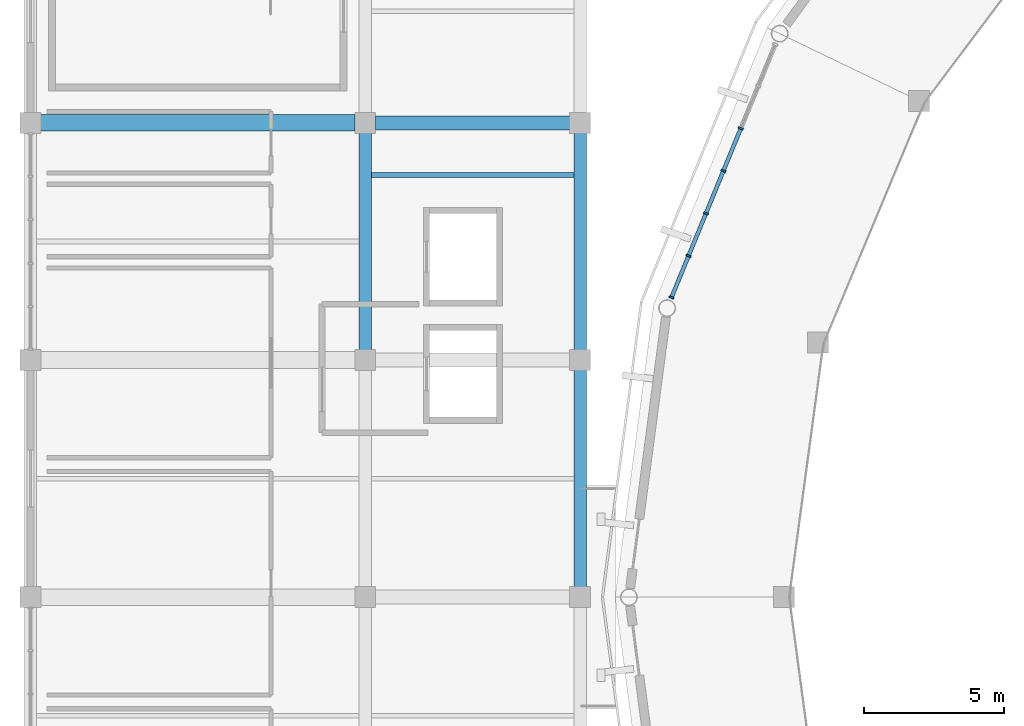
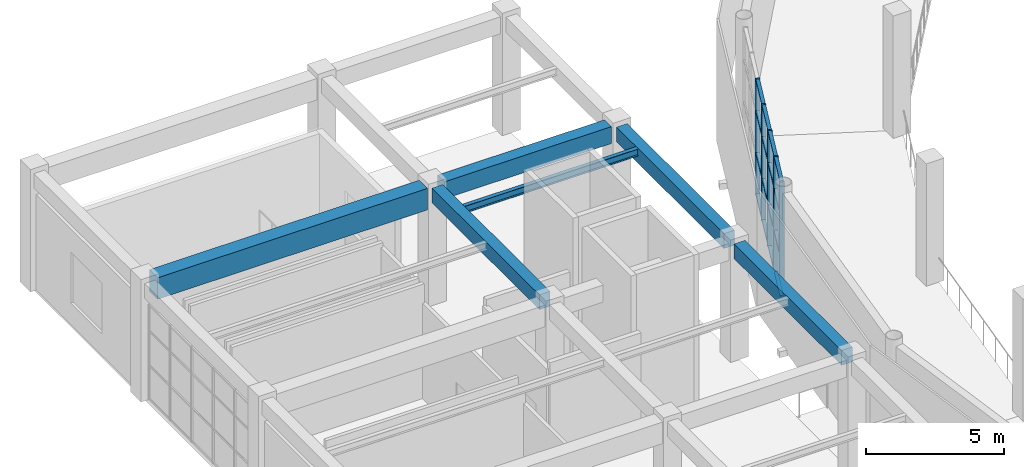
# One storey, part 12 of 40: 21 members, 6 beams, 1 element without a shape of its own.
"""IFC4 building model written with IfcOpenShell, lengths in metres."""

import ifcopenshell
import ifcopenshell.guid

model = None  # the IFC model being written
_history = None  # IfcOwnerHistory: only IFC2X3 demands one
_inside = {}  # id of a spatial element -> (the spatial element, [elements in it])
_under = {}  # id of a project, library or spatial element -> (it, [spatial elements below it])
_declared = {}  # id of a project -> (the project, [libraries it declares])
_typed = {}  # id of a type object -> (the type object, [elements of that type])
_made_of = {}  # id of a material, layer set ... -> (it, [elements and type objects made of it])


def new_model(schema):
    """Start an empty IFC model of exactly this schema.

    Asked for "IFC4X3", IfcOpenShell would pick the latest addendum, in which some entities
    have other attributes; the version numbers below select the first issue.
    IFC2X3 requires an IfcOwnerHistory on every rooted entity: one is made here for all.
    """
    global model, _history
    if schema == "IFC4X3":
        model = ifcopenshell.file(schema_version=(4, 3, 0, 0))
    else:
        model = ifcopenshell.file(schema=schema)
    _inside.clear()
    _under.clear()
    _declared.clear()
    _typed.clear()
    _made_of.clear()
    _history = None
    if model.schema == "IFC2X3":
        org = make("IfcOrganization", Name="unknown")
        user = make(
            "IfcPersonAndOrganization",
            ThePerson=make("IfcPerson", FamilyName="unknown"),
            TheOrganization=org,
        )
        app = make(
            "IfcApplication",
            ApplicationDeveloper=org,
            Version="unknown",
            ApplicationFullName="unknown",
            ApplicationIdentifier="unknown",
        )
        _history = make(
            "IfcOwnerHistory",
            OwningUser=user,
            OwningApplication=app,
            ChangeAction="ADDED",
            CreationDate=0,
        )
    return model


def make(cls, **values):
    """One entity of the class cls with the attributes given. An attribute that is None is left unset."""
    return model.create_entity(
        cls, **{name: value for name, value in values.items() if value is not None}
    )


def rooted(cls, **values):
    """An entity with a GlobalId (a new one), such as an element, a storey or a relation."""
    return make(cls, GlobalId=ifcopenshell.guid.new(), OwnerHistory=_history, **values)


def si_unit(unit_type, name, prefix=None):
    """IfcSIUnit, for example si_unit("LENGTHUNIT", "METRE", prefix="MILLI")."""
    return make("IfcSIUnit", UnitType=unit_type, Prefix=prefix, Name=name)


def assignment(units):
    """IfcUnitAssignment: the units of a project."""
    return None if units is None else make("IfcUnitAssignment", Units=units)


def point(xyz):
    """IfcCartesianPoint."""
    return None if xyz is None else make("IfcCartesianPoint", Coordinates=xyz)


def direction(xyz):
    """IfcDirection."""
    return None if xyz is None else make("IfcDirection", DirectionRatios=xyz)


def frame(location, z_axis=None, x_axis=None):
    """IfcAxis2Placement3D, a coordinate frame: its origin and axes. An axis left out is left unset."""
    return make(
        "IfcAxis2Placement3D",
        Location=point(location),
        Axis=direction(z_axis),
        RefDirection=direction(x_axis),
    )


def frame_2d(location, x_axis=None):
    """IfcAxis2Placement2D, a coordinate frame in the plane: its origin and x axis."""
    return make(
        "IfcAxis2Placement2D", Location=point(location), RefDirection=direction(x_axis)
    )


def origin():
    """The frame at (0, 0, 0) with its axes left unset."""
    return frame((0.0, 0.0, 0.0))


def origin_2d():
    """The frame at (0, 0) in the plane with its x axis left unset."""
    return frame_2d((0.0, 0.0))


def place(relative_to, where):
    """IfcLocalPlacement: puts the frame where relative to a parent placement (None: the world)."""
    return make(
        "IfcLocalPlacement", PlacementRelTo=relative_to, RelativePlacement=where
    )


def context(
    kind, dimensions, precision=None, world=None, true_north=None, identifier=None
):
    """IfcGeometricRepresentationContext, for example the 3D "Model" context."""
    return make(
        "IfcGeometricRepresentationContext",
        ContextIdentifier=identifier,
        ContextType=kind,
        CoordinateSpaceDimension=dimensions,
        Precision=precision,
        WorldCoordinateSystem=world,
        TrueNorth=true_north,
    )


def subcontext(parent, identifier, kind, view, scale=None):
    """IfcGeometricRepresentationSubContext, for example "Body" below "Model"."""
    return make(
        "IfcGeometricRepresentationSubContext",
        ContextIdentifier=identifier,
        ContextType=kind,
        ParentContext=parent,
        TargetScale=scale,
        TargetView=view,
    )


def project(units=None, contexts=None):
    """IfcProject with its units and contexts."""
    return rooted(
        "IfcProject",
        Name="project",
        RepresentationContexts=contexts,
        UnitsInContext=assignment(units),
    )


def spatial(cls, under=None, at=None, **own):
    """A site, building, storey or space (cls), placed at a placement, below another one or the project."""
    s = rooted(cls, ObjectPlacement=at, **own)
    if under is not None:
        _under.setdefault(under.id(), (under, []))[1].append(s)
    return s


def profile(cls, at=None, kind="AREA", **sizes):
    """A parametric profile (cls). Its sizes go by their IFC names, for example OverallWidth=200.0."""
    return make(cls, ProfileType=kind, Position=at, **sizes)


def rectangle(**sizes):
    """IfcRectangleProfileDef."""
    return profile("IfcRectangleProfileDef", **sizes)


def i_section(**sizes):
    """IfcIShapeProfileDef."""
    return profile("IfcIShapeProfileDef", **sizes)


def extrude(swept, where, along, depth):
    """IfcExtrudedAreaSolid: the profile swept, set in the frame where, extruded along a direction by depth."""
    return make(
        "IfcExtrudedAreaSolid",
        SweptArea=swept,
        Position=where,
        ExtrudedDirection=direction(along),
        Depth=depth,
    )


def shape(context_of_items, identifier, shape_type, items):
    """IfcShapeRepresentation: the items that make up one representation, for example the "Body"."""
    return make(
        "IfcShapeRepresentation",
        ContextOfItems=context_of_items,
        RepresentationIdentifier=identifier,
        RepresentationType=shape_type,
        Items=items,
    )


def material(Name=None, Category=None):
    """IfcMaterial."""
    return make("IfcMaterial", Name=Name, Category=Category)


def material_profile(
    of_material, cross_section, Name=None, Category=None, Priority=None
):
    """IfcMaterialProfile: a cross section and its material."""
    return make(
        "IfcMaterialProfile",
        Name=Name,
        Material=of_material,
        Profile=cross_section,
        Priority=Priority,
        Category=Category,
    )


def profile_set(profiles, Name=None, composite=None):
    """IfcMaterialProfileSet."""
    return make(
        "IfcMaterialProfileSet",
        Name=Name,
        MaterialProfiles=profiles,
        CompositeProfile=composite,
    )


def made_of(thing, what):
    """Note that an element or type object is made of a material, layer set ...; save() writes the relation."""
    if what is not None:
        _made_of.setdefault(what.id(), (what, []))[1].append(thing)
    return thing


def type_object(cls, material=None, **own):
    """A type object (cls), such as IfcWallType, which elements share."""
    return made_of(rooted(cls, **own), material)


def element(
    cls,
    number,
    at=None,
    inside=None,
    cuts=None,
    type_object=None,
    material=None,
    context=None,
    identifier="Body",
    shape_type=None,
    held_by="IfcProductDefinitionShape",
    body=None,
    shapes=None,
    **own,
):
    """One element of the class cls, such as IfcWall. Its Tag is "e" and its number.

    at: its placement. inside: the storey or other place that contains it. cuts: it is an
    opening in that element (IfcRelVoidsElement). A single representation is given by context,
    identifier, shape_type and body (its items); several are given by shapes. held_by: the class
    of the entity that holds the representations. save() writes the other relations.
    """
    e = rooted(cls, Tag="e%d" % number, ObjectPlacement=at, **own)
    if body is not None:
        shapes = [shape(context, identifier, shape_type, body)]
    if shapes is not None:
        e.Representation = make(held_by, Representations=shapes)
    if inside is not None:
        _inside.setdefault(inside.id(), (inside, []))[1].append(e)
    if cuts is not None:
        rooted(
            "IfcRelVoidsElement", RelatingBuildingElement=cuts, RelatedOpeningElement=e
        )
    if type_object is not None:
        _typed.setdefault(type_object.id(), (type_object, []))[1].append(e)
    return made_of(e, material)


def aggregate(whole, parts):
    """IfcRelAggregates: a whole, such as a stair, and the parts it consists of."""
    return rooted("IfcRelAggregates", RelatingObject=whole, RelatedObjects=parts)


def save(model, path):
    """Write the relations noted so far, then the file.

    IfcRelAggregates (storeys below a building ...), IfcRelContainedInSpatialStructure (elements
    in a storey), IfcRelDefinesByType, IfcRelAssociatesMaterial and IfcRelDeclares: one each for
    every whole, place, type object, material and project.
    """
    for whole, parts in _under.values():
        aggregate(whole, parts)
    for where, things in _inside.values():
        rooted(
            "IfcRelContainedInSpatialStructure",
            RelatedElements=things,
            RelatingStructure=where,
        )
    for kind, things in _typed.values():
        rooted("IfcRelDefinesByType", RelatedObjects=things, RelatingType=kind)
    for what, things in _made_of.values():
        rooted("IfcRelAssociatesMaterial", RelatedObjects=things, RelatingMaterial=what)
    for by, libraries in _declared.values():
        rooted("IfcRelDeclares", RelatingContext=by, RelatedDefinitions=libraries)
    model.write(path)


model = new_model("IFC4")

# Units and contexts
model_context = context("Model", 3, precision=1e-05, world=origin(), true_north=direction((0.0, 1.0)))
body_context = subcontext(model_context, "Body", "Model", "MODEL_VIEW")
ifc_project = project(units=[si_unit("LENGTHUNIT", "METRE"), si_unit("AREAUNIT", "SQUARE_METRE"), si_unit("VOLUMEUNIT", "CUBIC_METRE"), si_unit("PLANEANGLEUNIT", "RADIAN"), si_unit("MASSUNIT", "GRAM", prefix="KILO")], contexts=[model_context])

# Site, building, storey
site_placement = place(None, origin())
site = spatial("IfcSite", under=ifc_project, at=site_placement, CompositionType="ELEMENT")
building_placement = place(site_placement, origin())
building = spatial("IfcBuilding", under=site, at=building_placement, Name="Cuetzalor Civic Arena", CompositionType="ELEMENT")
storey_placement = place(building_placement, frame((0.0, 0.0, 26.39990234375)))
storey = spatial("IfcBuildingStorey", under=building, at=storey_placement, Name="L05", CompositionType="ELEMENT", Elevation=26.39990234375)

# Beams
ifc_material_1 = material(Name="Concrete C40/50", Category="concrete")
ifc_material_profile_1 = material_profile(ifc_material_1, rectangle(XDim=0.5, YDim=0.75, at=origin_2d()), Name="RC 500x750")
ifc_profile_set_1 = profile_set([ifc_material_profile_1], Name="Concrete C40/50")
beam_type_1 = type_object("IfcBeamType", Name="ConcreteFrameBeam_500x750", PredefinedType="BEAM", material=ifc_profile_set_1)
beam_1_placement = place(storey_placement, frame((-63.635009765625, 17.0, 4.80517578125), z_axis=(1.0, 0.0, 0.0), x_axis=(0.0, 1.0, 0.0)))
element("IfcBeam", 1, at=beam_1_placement, inside=storey, type_object=beam_type_1, Name="Frame Girder V4W-L05-X1220", PredefinedType="BEAM", context=body_context, shape_type="SweptSolid", body=[
    extrude(rectangle(XDim=0.5, YDim=0.75, at=origin_2d()), origin(), (0.0, 0.0, 1.0), 6.969970703125),
])
ifc_material_2 = material(Name="Concrete C40/50", Category="concrete")
ifc_material_profile_2 = material_profile(ifc_material_2, rectangle(XDim=0.60009765625, YDim=0.949951171875, at=origin_2d()), Name="RC 600x950")
ifc_profile_set_2 = profile_set([ifc_material_profile_2], Name="Concrete C40/50")
beam_type_2 = type_object("IfcBeamType", Name="ConcreteFrameBeam_600x950", PredefinedType="BEAM", material=ifc_profile_set_2)
beam_2_placement = place(storey_placement, frame((-75.635009765625, 17.0, 4.705078125), z_axis=(1.0, 0.0, 0.0), x_axis=(0.0, 1.0, 0.0)))
element("IfcBeam", 2, at=beam_2_placement, inside=storey, type_object=beam_type_2, Name="Frame Girder V4W-L05-X1219", PredefinedType="BEAM", context=body_context, shape_type="SweptSolid", body=[
    extrude(rectangle(XDim=0.60009765625, YDim=0.949951171875, at=origin_2d()), origin(), (0.0, 0.0, 1.0), 11.27001953125),
])
ifc_material_3 = material(Name="Concrete C40/50", Category="concrete")
ifc_material_profile_3 = material_profile(ifc_material_3, rectangle(XDim=0.449951171875, YDim=0.64990234375, at=origin_2d()), Name="RC 450x650")
ifc_profile_set_3 = profile_set([ifc_material_profile_3], Name="Concrete C40/50")
beam_type_3 = type_object("IfcBeamType", Name="ConcreteTieBeam_450x650", PredefinedType="BEAM", material=ifc_profile_set_3)
for number, where, z_axis, x_axis, name in (
    (3, (-64.0, 8.864990234375, 4.85498046875), (0.0, 1.0, 0.0), (-1.0, 0.0, 0.0), "Frame Girder V4W-L05-Y1235"),
    (4, (-56.300048828125, 0.364990234375, 4.85498046875), (0.0, 1.0, 0.0), (-1.0, 0.0, 0.0), "Frame Girder V4W-L05-Y1241"),
    (5, (-56.300048828125, 8.864990234375, 4.85498046875), (0.0, 1.0, 0.0), (-1.0, 0.0, 0.0), "Frame Girder V4W-L05-Y1242"),
):
    element("IfcBeam", number, at=place(storey_placement, frame(where, z_axis=z_axis, x_axis=x_axis)), inside=storey, type_object=beam_type_3, Name=name, PredefinedType="BEAM", context=body_context, shape_type="SweptSolid", body=[
        extrude(rectangle(XDim=0.449951171875, YDim=0.64990234375, at=origin_2d()), origin(), (0.0, 0.0, 1.0), 7.77001953125),
    ])

# Curtain wall, members
ifc_material_4 = material(Name="Anodised dark bronze aluminium and low-E solar glass", Category="aluminium")
curtain_wall_type = type_object("IfcCurtainWallType", Name="UnitisedCW_9850x5150", PredefinedType="USERDEFINED", material=ifc_material_4)
curtain_wall_placement = place(storey_placement, origin())
curtain_wall = element("IfcCurtainWall", 6, at=curtain_wall_placement, inside=storey, type_object=curtain_wall_type, Name="Drum Triangle Foyer Curtain Wall L05-074", ObjectType="UNITISED CURTAIN WALL", PredefinedType="USERDEFINED")
ifc_material_5 = material(Name="Anodised dark bronze aluminium", Category="aluminium")
ifc_material_profile_4 = material_profile(ifc_material_5, rectangle(XDim=0.070068359375, YDim=0.179931640625, at=origin_2d()), Name="ALU MULLION 70x180")
ifc_profile_set_4 = profile_set([ifc_material_profile_4], Name="Anodised dark bronze aluminium")
member_type_1 = type_object("IfcMemberType", Name="CurtainWallMullion_65x180", PredefinedType="MULLION", material=ifc_profile_set_4)
member_1_placement = place(storey_placement, frame((-53.02490234375, 10.7421875, 0.0), z_axis=(0.0, 0.0, 1.0), x_axis=(0.379391428583, 0.925236263836, 0.0)))
member_1 = element("IfcMember", 7, at=member_1_placement, type_object=member_type_1, Name="CW-23 mullion 1", PredefinedType="MULLION", context=body_context, shape_type="SweptSolid", body=[
    extrude(rectangle(XDim=0.070068359375, YDim=0.179931640625, at=origin_2d()), origin(), (0.0, 0.0, 1.0), 5.135986328125),
])
member_2_placement = place(storey_placement, frame((-52.413818359375, 12.232421875, 0.0), z_axis=(0.0, 0.0, 1.0), x_axis=(0.379391428583, 0.925236263836, 0.0)))
member_2 = element("IfcMember", 8, at=member_2_placement, type_object=member_type_1, Name="CW-23 mullion 2", PredefinedType="MULLION", context=body_context, shape_type="SweptSolid", body=[
    extrude(rectangle(XDim=0.070068359375, YDim=0.179931640625, at=origin_2d()), origin(), (0.0, 0.0, 1.0), 5.135986328125),
])
member_3_placement = place(storey_placement, frame((-51.78955078125, 13.755126953125, 0.0), z_axis=(0.0, 0.0, 1.0), x_axis=(0.379391428583, 0.925236263836, 0.0)))
member_3 = element("IfcMember", 9, at=member_3_placement, type_object=member_type_1, Name="CW-23 mullion 3", PredefinedType="MULLION", context=body_context, shape_type="SweptSolid", body=[
    extrude(rectangle(XDim=0.070068359375, YDim=0.179931640625, at=origin_2d()), origin(), (0.0, 0.0, 1.0), 5.135986328125),
])
member_4_placement = place(storey_placement, frame((-51.1650390625, 15.27783203125, 0.0), z_axis=(0.0, 0.0, 1.0), x_axis=(0.379391428583, 0.925236263836, 0.0)))
member_4 = element("IfcMember", 10, at=member_4_placement, type_object=member_type_1, Name="CW-23 mullion 4", PredefinedType="MULLION", context=body_context, shape_type="SweptSolid", body=[
    extrude(rectangle(XDim=0.070068359375, YDim=0.179931640625, at=origin_2d()), origin(), (0.0, 0.0, 1.0), 5.135986328125),
])
member_5_placement = place(storey_placement, frame((-50.540771484375, 16.800537109375, 0.0), z_axis=(0.0, 0.0, 1.0), x_axis=(0.379391428583, 0.925236263836, 0.0)))
member_5 = element("IfcMember", 11, at=member_5_placement, type_object=member_type_1, Name="CW-23 mullion 5", PredefinedType="MULLION", context=body_context, shape_type="SweptSolid", body=[
    extrude(rectangle(XDim=0.070068359375, YDim=0.179931640625, at=origin_2d()), origin(), (0.0, 0.0, 1.0), 5.135986328125),
])
ifc_material_6 = material(Name="Anodised dark bronze aluminium", Category="aluminium")
ifc_material_profile_5 = material_profile(ifc_material_6, rectangle(XDim=0.139892578125, YDim=0.070068359375, at=origin_2d()), Name="ALU TRANSOM 70x140")
ifc_profile_set_5 = profile_set([ifc_material_profile_5], Name="Anodised dark bronze aluminium")
member_type_2 = type_object("IfcMemberType", Name="CurtainWallTransom_65x140", PredefinedType="USERDEFINED", material=ifc_profile_set_5)
member_6_placement = place(storey_placement, frame((-53.01171875, 10.774658203125, 0.03515625), z_axis=(0.379490282, 0.925195723005, 0.0), x_axis=(-0.925195723005, 0.379490282, 0.0)))
member_6 = element("IfcMember", 12, at=member_6_placement, type_object=member_type_2, Name="CW-23 transom 1.1", ObjectType="TRANSOM", PredefinedType="USERDEFINED", context=body_context, shape_type="SweptSolid", body=[
    extrude(rectangle(XDim=0.139892578125, YDim=0.070068359375, at=origin_2d()), origin(), (0.0, 0.0, 1.0), 1.540771484375),
])
member_7_placement = place(storey_placement, frame((-53.01171875, 10.774658203125, 1.84912109375), z_axis=(0.379490282, 0.925195723005, 0.0), x_axis=(-0.925195723005, 0.379490282, 0.0)))
member_7 = element("IfcMember", 13, at=member_7_placement, type_object=member_type_2, Name="CW-23 transom 1.2", ObjectType="TRANSOM", PredefinedType="USERDEFINED", context=body_context, shape_type="SweptSolid", body=[
    extrude(rectangle(XDim=0.139892578125, YDim=0.070068359375, at=origin_2d()), origin(), (0.0, 0.0, 1.0), 1.540771484375),
])
member_8_placement = place(storey_placement, frame((-53.01171875, 10.774658203125, 3.697998046875), z_axis=(0.379490282, 0.925195723005, 0.0), x_axis=(-0.925195723005, 0.379490282, 0.0)))
member_8 = element("IfcMember", 14, at=member_8_placement, type_object=member_type_2, Name="CW-23 transom 1.3", ObjectType="TRANSOM", PredefinedType="USERDEFINED", context=body_context, shape_type="SweptSolid", body=[
    extrude(rectangle(XDim=0.139892578125, YDim=0.070068359375, at=origin_2d()), origin(), (0.0, 0.0, 1.0), 1.540771484375),
])
member_9_placement = place(storey_placement, frame((-53.01171875, 10.774658203125, 5.10107421875), z_axis=(0.379490282, 0.925195723005, 0.0), x_axis=(-0.925195723005, 0.379490282, 0.0)))
member_9 = element("IfcMember", 15, at=member_9_placement, type_object=member_type_2, Name="CW-23 transom 1.4", ObjectType="TRANSOM", PredefinedType="USERDEFINED", context=body_context, shape_type="SweptSolid", body=[
    extrude(rectangle(XDim=0.139892578125, YDim=0.070068359375, at=origin_2d()), origin(), (0.0, 0.0, 1.0), 1.540771484375),
])
member_10_placement = place(storey_placement, frame((-52.400634765625, 12.264892578125, 0.03515625), z_axis=(0.37947133734, 0.925203493367, 0.0), x_axis=(-0.925203493367, 0.37947133734, 0.0)))
member_10 = element("IfcMember", 16, at=member_10_placement, type_object=member_type_2, Name="CW-23 transom 2.1", ObjectType="TRANSOM", PredefinedType="USERDEFINED", context=body_context, shape_type="SweptSolid", body=[
    extrude(rectangle(XDim=0.139892578125, YDim=0.070068359375, at=origin_2d()), origin(), (0.0, 0.0, 1.0), 1.57568359375),
])
member_11_placement = place(storey_placement, frame((-52.400634765625, 12.264892578125, 1.84912109375), z_axis=(0.37947133734, 0.925203493367, 0.0), x_axis=(-0.925203493367, 0.37947133734, 0.0)))
member_11 = element("IfcMember", 17, at=member_11_placement, type_object=member_type_2, Name="CW-23 transom 2.2", ObjectType="TRANSOM", PredefinedType="USERDEFINED", context=body_context, shape_type="SweptSolid", body=[
    extrude(rectangle(XDim=0.139892578125, YDim=0.070068359375, at=origin_2d()), origin(), (0.0, 0.0, 1.0), 1.57568359375),
])
member_12_placement = place(storey_placement, frame((-52.400634765625, 12.264892578125, 3.697998046875), z_axis=(0.37947133734, 0.925203493367, 0.0), x_axis=(-0.925203493367, 0.37947133734, 0.0)))
member_12 = element("IfcMember", 18, at=member_12_placement, type_object=member_type_2, Name="CW-23 transom 2.3", ObjectType="TRANSOM", PredefinedType="USERDEFINED", context=body_context, shape_type="SweptSolid", body=[
    extrude(rectangle(XDim=0.139892578125, YDim=0.070068359375, at=origin_2d()), origin(), (0.0, 0.0, 1.0), 1.57568359375),
])
member_13_placement = place(storey_placement, frame((-52.400634765625, 12.264892578125, 5.10107421875), z_axis=(0.37947133734, 0.925203493367, 0.0), x_axis=(-0.925203493367, 0.37947133734, 0.0)))
member_13 = element("IfcMember", 19, at=member_13_placement, type_object=member_type_2, Name="CW-23 transom 2.4", ObjectType="TRANSOM", PredefinedType="USERDEFINED", context=body_context, shape_type="SweptSolid", body=[
    extrude(rectangle(XDim=0.139892578125, YDim=0.070068359375, at=origin_2d()), origin(), (0.0, 0.0, 1.0), 1.57568359375),
])
member_14_placement = place(storey_placement, frame((-51.776123046875, 13.78759765625, 0.03515625), z_axis=(0.379338688632, 0.925257888, 0.0), x_axis=(-0.925257888, 0.379338688632, 0.0)))
member_14 = element("IfcMember", 20, at=member_14_placement, type_object=member_type_2, Name="CW-23 transom 3.1", ObjectType="TRANSOM", PredefinedType="USERDEFINED", context=body_context, shape_type="SweptSolid", body=[
    extrude(rectangle(XDim=0.139892578125, YDim=0.070068359375, at=origin_2d()), origin(), (0.0, 0.0, 1.0), 1.575439453125),
])
member_15_placement = place(storey_placement, frame((-51.776123046875, 13.78759765625, 1.84912109375), z_axis=(0.379338688632, 0.925257888, 0.0), x_axis=(-0.925257888, 0.379338688632, 0.0)))
member_15 = element("IfcMember", 21, at=member_15_placement, type_object=member_type_2, Name="CW-23 transom 3.2", ObjectType="TRANSOM", PredefinedType="USERDEFINED", context=body_context, shape_type="SweptSolid", body=[
    extrude(rectangle(XDim=0.139892578125, YDim=0.070068359375, at=origin_2d()), origin(), (0.0, 0.0, 1.0), 1.575439453125),
])
member_16_placement = place(storey_placement, frame((-51.776123046875, 13.78759765625, 3.697998046875), z_axis=(0.379338688632, 0.925257888, 0.0), x_axis=(-0.925257888, 0.379338688632, 0.0)))
member_16 = element("IfcMember", 22, at=member_16_placement, type_object=member_type_2, Name="CW-23 transom 3.3", ObjectType="TRANSOM", PredefinedType="USERDEFINED", context=body_context, shape_type="SweptSolid", body=[
    extrude(rectangle(XDim=0.139892578125, YDim=0.070068359375, at=origin_2d()), origin(), (0.0, 0.0, 1.0), 1.575439453125),
])
member_17_placement = place(storey_placement, frame((-51.776123046875, 13.78759765625, 5.10107421875), z_axis=(0.379338688632, 0.925257888, 0.0), x_axis=(-0.925257888, 0.379338688632, 0.0)))
member_17 = element("IfcMember", 23, at=member_17_placement, type_object=member_type_2, Name="CW-23 transom 3.4", ObjectType="TRANSOM", PredefinedType="USERDEFINED", context=body_context, shape_type="SweptSolid", body=[
    extrude(rectangle(XDim=0.139892578125, YDim=0.070068359375, at=origin_2d()), origin(), (0.0, 0.0, 1.0), 1.575439453125),
])
member_18_placement = place(storey_placement, frame((-51.15185546875, 15.310302734375, 0.03515625), z_axis=(0.37947133734, 0.925203493367, 0.0), x_axis=(-0.925203493367, 0.37947133734, 0.0)))
member_18 = element("IfcMember", 24, at=member_18_placement, type_object=member_type_2, Name="CW-23 transom 4.1", ObjectType="TRANSOM", PredefinedType="USERDEFINED", context=body_context, shape_type="SweptSolid", body=[
    extrude(rectangle(XDim=0.139892578125, YDim=0.070068359375, at=origin_2d()), origin(), (0.0, 0.0, 1.0), 1.57568359375),
])
member_19_placement = place(storey_placement, frame((-51.15185546875, 15.310302734375, 1.84912109375), z_axis=(0.37947133734, 0.925203493367, 0.0), x_axis=(-0.925203493367, 0.37947133734, 0.0)))
member_19 = element("IfcMember", 25, at=member_19_placement, type_object=member_type_2, Name="CW-23 transom 4.2", ObjectType="TRANSOM", PredefinedType="USERDEFINED", context=body_context, shape_type="SweptSolid", body=[
    extrude(rectangle(XDim=0.139892578125, YDim=0.070068359375, at=origin_2d()), origin(), (0.0, 0.0, 1.0), 1.57568359375),
])
member_20_placement = place(storey_placement, frame((-51.15185546875, 15.310302734375, 3.697998046875), z_axis=(0.37947133734, 0.925203493367, 0.0), x_axis=(-0.925203493367, 0.37947133734, 0.0)))
member_20 = element("IfcMember", 26, at=member_20_placement, type_object=member_type_2, Name="CW-23 transom 4.3", ObjectType="TRANSOM", PredefinedType="USERDEFINED", context=body_context, shape_type="SweptSolid", body=[
    extrude(rectangle(XDim=0.139892578125, YDim=0.070068359375, at=origin_2d()), origin(), (0.0, 0.0, 1.0), 1.57568359375),
])
member_21_placement = place(storey_placement, frame((-51.15185546875, 15.310302734375, 5.10107421875), z_axis=(0.37947133734, 0.925203493367, 0.0), x_axis=(-0.925203493367, 0.37947133734, 0.0)))
member_21 = element("IfcMember", 27, at=member_21_placement, type_object=member_type_2, Name="CW-23 transom 4.4", ObjectType="TRANSOM", PredefinedType="USERDEFINED", context=body_context, shape_type="SweptSolid", body=[
    extrude(rectangle(XDim=0.139892578125, YDim=0.070068359375, at=origin_2d()), origin(), (0.0, 0.0, 1.0), 1.57568359375),
])
aggregate(curtain_wall, [member_1, member_2, member_3, member_4, member_5, member_6, member_7, member_8, member_9, member_10, member_11, member_12, member_13, member_14, member_15, member_16, member_17, member_18, member_19, member_20, member_21])

# Beam
ifc_material_7 = material(Name="Steel S355", Category="steel")
ifc_material_profile_6 = material_profile(ifc_material_7, i_section(OverallWidth=0.166015625, OverallDepth=0.31298828125, WebThickness=0.006591796875, FlangeThickness=0.01123046875, at=origin_2d()), Name="W310x45")
ifc_profile_set_6 = profile_set([ifc_material_profile_6], Name="Steel S355")
beam_type_4 = type_object("IfcBeamType", Name="SecondaryRoofJoist_W310", PredefinedType="JOIST", material=ifc_profile_set_6)
beam_3_placement = place(storey_placement, frame((-63.782958984375, 15.1298828125, 5.023681640625), z_axis=(1.0, 0.0, 0.0), x_axis=(0.0, 1.0, 0.0)))
element("IfcBeam", 28, at=beam_3_placement, inside=storey, type_object=beam_type_4, Name="Secondary Floor Joist V4W-L05-0387", PredefinedType="JOIST", context=body_context, shape_type="SweptSolid", body=[
    extrude(i_section(OverallWidth=0.166015625, OverallDepth=0.31298828125, WebThickness=0.006591796875, FlangeThickness=0.01123046875, at=origin_2d()), origin(), (0.0, 0.0, 1.0), 7.265869140625),
])

save(model, "model.ifc")
